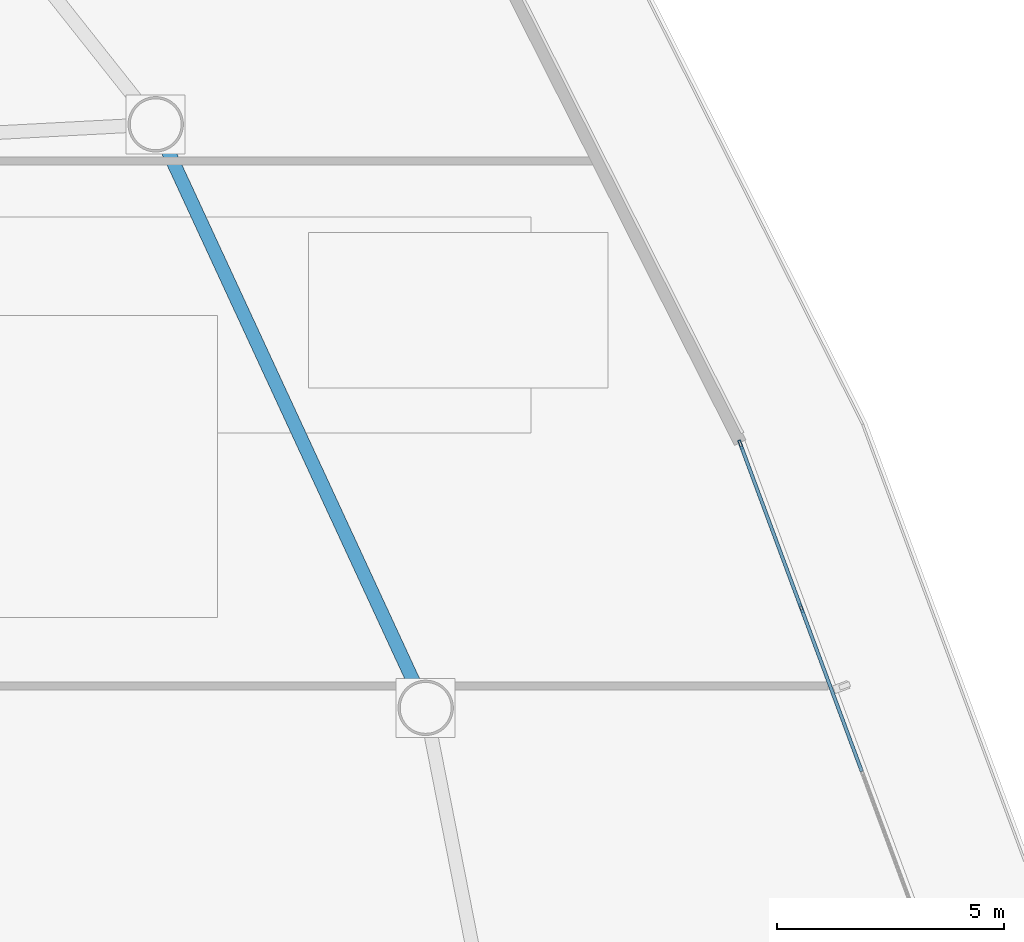
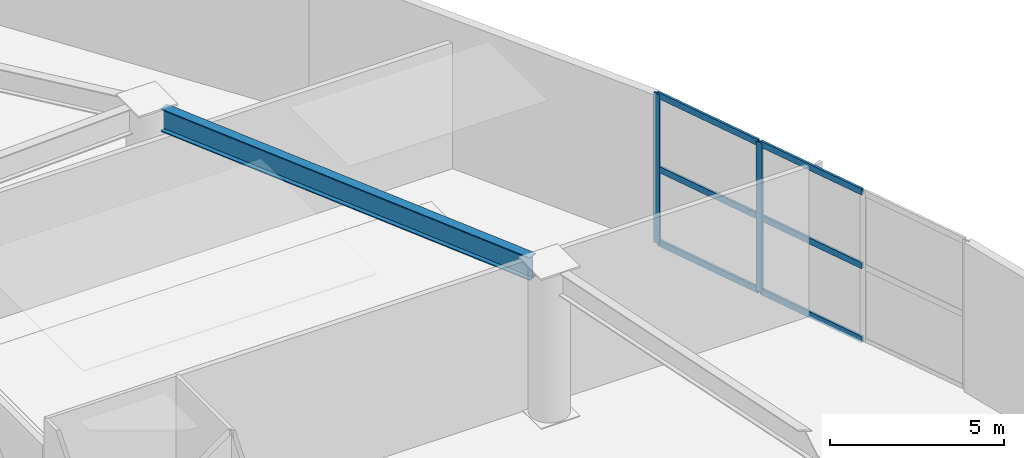
# One storey, part 9 of 26: 8 members, 1 beam, 1 element without a shape of its own.
"""IFC4 building model written with IfcOpenShell, lengths in metres."""

from ifc_helpers import new_model, si_unit, direction, frame, origin, origin_2d, place, context, subcontext, project, spatial, hollow_rectangle, i_section, extrude, source, transform, mapped, material, layer, layer_set, material_profile, profile_set, type_object, type_shapes, element, aggregate, save


model = new_model("IFC4")

# Units and contexts
model_context = context("Model", 3, precision=1e-05, world=origin(), true_north=direction((0.0, 1.0)))
body_context = subcontext(model_context, "Body", "Model", "MODEL_VIEW")
ifc_project = project(units=[si_unit("LENGTHUNIT", "METRE"), si_unit("AREAUNIT", "SQUARE_METRE"), si_unit("VOLUMEUNIT", "CUBIC_METRE"), si_unit("PLANEANGLEUNIT", "RADIAN"), si_unit("MASSUNIT", "GRAM", prefix="KILO")], contexts=[model_context])

# Site, building, storey
site_placement = place(None, origin())
site = spatial("IfcSite", under=ifc_project, at=site_placement, CompositionType="ELEMENT")
building_placement = place(site_placement, origin())
building = spatial("IfcBuilding", under=site, at=building_placement, Name="Tavelor Broadcast Tower", CompositionType="ELEMENT")
storey_placement = place(building_placement, frame((0.0, 0.0, 5.800048828125)))
storey = spatial("IfcBuildingStorey", under=building, at=storey_placement, Name="L01", CompositionType="ELEMENT", Elevation=5.800048828125)

# Beam
ifc_material_1 = material(Name="Steel S355", Category="steel")
ifc_material_profile_1 = material_profile(ifc_material_1, i_section(OverallWidth=0.300048828125, OverallDepth=0.800048828125, WebThickness=0.017578125, FlangeThickness=0.032958984375, at=origin_2d()), Name="HEB 800")
ifc_profile_set_1 = profile_set([ifc_material_profile_1], Name="Steel S355")
beam_type = type_object("IfcBeamType", Name="Podium Spandrel Beam HEB800", PredefinedType="SPANDREL", material=ifc_profile_set_1)
beam_placement = place(storey_placement, frame((74.997802734375, 44.596435546875, 4.849853515625), z_axis=(-0.419873312524, 0.90758272429, 0.0), x_axis=(-0.90758272429, -0.419873312524, 0.0)))
element("IfcBeam", 1, at=beam_placement, inside=storey, type_object=beam_type, Name="L01 Podium Spandrel Girder 10", PredefinedType="SPANDREL", context=body_context, shape_type="SweptSolid", body=[
    extrude(i_section(OverallWidth=0.300048828125, OverallDepth=0.800048828125, WebThickness=0.017578125, FlangeThickness=0.032958984375, at=origin_2d()), origin(), (0.0, 0.0, 1.0), 12.98876953125),
])

# Curtain wall, members
ifc_material_2 = material(Name="Architectural Anodized Aluminium", Category="aluminium")
ifc_layer = layer(ifc_material_2, 0.219970703125)
ifc_layer_set = layer_set([ifc_layer], Name="Architectural Anodized Aluminium")
curtain_wall_type = type_object("IfcCurtainWallType", Name="Podium Double-Height Broadcast Curtain Wall CW01", PredefinedType="NOTDEFINED", material=ifc_layer_set)
curtain_wall_placement = place(storey_placement, origin())
curtain_wall = element("IfcCurtainWall", 2, at=curtain_wall_placement, inside=storey, type_object=curtain_wall_type, Name="L01 Curtain Wall CW01 Run 5", PredefinedType="NOTDEFINED")
ifc_material_profile_2 = material_profile(ifc_material_2, hollow_rectangle(XDim=0.074951171875, YDim=0.219970703125, WallThickness=0.02197265625, at=origin_2d()), Name="RHS 75x220x22")
ifc_profile_set_2 = profile_set([ifc_material_profile_2], Name="Architectural Anodized Aluminium")
member_type_1 = type_object("IfcMemberType", Name="CW01 Extruded Aluminium Mullion 75x220", PredefinedType="MULLION", material=ifc_profile_set_2)
shared_shape_1 = source(origin(), body_context, "Body", "SweptSolid", [
    extrude(hollow_rectangle(XDim=0.074951171875, YDim=0.219970703125, WallThickness=0.02197265625, at=origin_2d()), origin(), (0.0, 0.0, 1.0), 5.25),
])
type_shapes(member_type_1, [shared_shape_1])
member_1_placement = place(storey_placement, frame((83.5048828125, 46.265869140625, 0.0), z_axis=(0.0, 0.0, 1.0), x_axis=(-0.937574004687, -0.347785833144, 0.0)))
member_1 = element("IfcMember", 3, at=member_1_placement, type_object=member_type_1, Name="CW01 mullion 3", PredefinedType="MULLION", context=body_context, shape_type="MappedRepresentation", body=[
    mapped(shared_shape_1, transform((0.0, 0.0, 0.0), scale=1.0)),
])
member_2_placement = place(storey_placement, frame((82.171142578125, 49.861572265625, 0.0), z_axis=(0.0, 0.0, 1.0), x_axis=(-0.937574004687, -0.347785833144, 0.0)))
member_2 = element("IfcMember", 4, at=member_2_placement, type_object=member_type_1, Name="CW01 mullion 4", PredefinedType="MULLION", context=body_context, shape_type="MappedRepresentation", body=[
    mapped(shared_shape_1, transform((0.0, 0.0, 0.0), scale=1.0)),
])
ifc_material_profile_3 = material_profile(ifc_material_2, hollow_rectangle(XDim=0.074951171875, YDim=0.219970703125, WallThickness=0.02197265625, at=origin_2d()), Name="RHS 75x220x22")
ifc_profile_set_3 = profile_set([ifc_material_profile_3], Name="Architectural Anodized Aluminium")
member_type_2 = type_object("IfcMemberType", Name="CW01 Extruded Aluminium Transom 75x220", PredefinedType="USERDEFINED", material=ifc_profile_set_3)
shared_shape_2 = source(origin(), body_context, "Body", "SweptSolid", [
    extrude(hollow_rectangle(XDim=0.074951171875, YDim=0.219970703125, WallThickness=0.02197265625, at=origin_2d()), origin(), (0.0, 0.0, 1.0), 3.7978515625),
])
member_3_placement = place(storey_placement, frame((84.8388671875, 42.669921875, 0.037353515625), z_axis=(-0.34777492345, 0.937578051481, 0.0), x_axis=(-0.937578051481, -0.34777492345, 0.0)))
member_3 = element("IfcMember", 5, at=member_3_placement, type_object=member_type_2, Name="CW01 transom 2.1", ObjectType="TRANSOM", PredefinedType="USERDEFINED", context=body_context, shape_type="MappedRepresentation", body=[
    mapped(shared_shape_2, transform((0.0, 0.0, 0.0), scale=1.0)),
])
member_4_placement = place(storey_placement, frame((84.8388671875, 42.669921875, 2.625), z_axis=(-0.34777492345, 0.937578051481, 0.0), x_axis=(-0.937578051481, -0.34777492345, 0.0)))
member_4 = element("IfcMember", 6, at=member_4_placement, type_object=member_type_2, Name="CW01 transom 2.2", ObjectType="TRANSOM", PredefinedType="USERDEFINED", context=body_context, shape_type="MappedRepresentation", body=[
    mapped(shared_shape_2, transform((0.0, 0.0, 0.0), scale=1.0)),
])
member_5_placement = place(storey_placement, frame((84.8388671875, 42.669921875, 5.21240234375), z_axis=(-0.34777492345, 0.937578051481, 0.0), x_axis=(-0.937578051481, -0.34777492345, 0.0)))
member_5 = element("IfcMember", 7, at=member_5_placement, type_object=member_type_2, Name="CW01 transom 2.3", ObjectType="TRANSOM", PredefinedType="USERDEFINED", context=body_context, shape_type="MappedRepresentation", body=[
    mapped(shared_shape_2, transform((0.0, 0.0, 0.0), scale=1.0)),
])
shared_shape_3 = source(origin(), body_context, "Body", "SweptSolid", [
    extrude(hollow_rectangle(XDim=0.074951171875, YDim=0.219970703125, WallThickness=0.02197265625, at=origin_2d()), origin(), (0.0, 0.0, 1.0), 3.76025390625),
])
type_shapes(member_type_2, [shared_shape_2, shared_shape_3])
member_6_placement = place(storey_placement, frame((83.491943359375, 46.301025390625, 0.037353515625), z_axis=(-0.347819710548, 0.937561437429, 0.0), x_axis=(-0.937561437429, -0.347819710548, 0.0)))
member_6 = element("IfcMember", 8, at=member_6_placement, type_object=member_type_2, Name="CW01 transom 3.1", ObjectType="TRANSOM", PredefinedType="USERDEFINED", context=body_context, shape_type="MappedRepresentation", body=[
    mapped(shared_shape_3, transform((0.0, 0.0, 0.0), scale=1.0)),
])
member_7_placement = place(storey_placement, frame((83.491943359375, 46.301025390625, 2.625), z_axis=(-0.347819710548, 0.937561437429, 0.0), x_axis=(-0.937561437429, -0.347819710548, 0.0)))
member_7 = element("IfcMember", 9, at=member_7_placement, type_object=member_type_2, Name="CW01 transom 3.2", ObjectType="TRANSOM", PredefinedType="USERDEFINED", context=body_context, shape_type="MappedRepresentation", body=[
    mapped(shared_shape_3, transform((0.0, 0.0, 0.0), scale=1.0)),
])
member_8_placement = place(storey_placement, frame((83.491943359375, 46.301025390625, 5.21240234375), z_axis=(-0.347819710548, 0.937561437429, 0.0), x_axis=(-0.937561437429, -0.347819710548, 0.0)))
member_8 = element("IfcMember", 10, at=member_8_placement, type_object=member_type_2, Name="CW01 transom 3.3", ObjectType="TRANSOM", PredefinedType="USERDEFINED", context=body_context, shape_type="MappedRepresentation", body=[
    mapped(shared_shape_3, transform((0.0, 0.0, 0.0), scale=1.0)),
])
aggregate(curtain_wall, [member_1, member_2, member_3, member_4, member_5, member_6, member_7, member_8])

save(model, "model.ifc")
